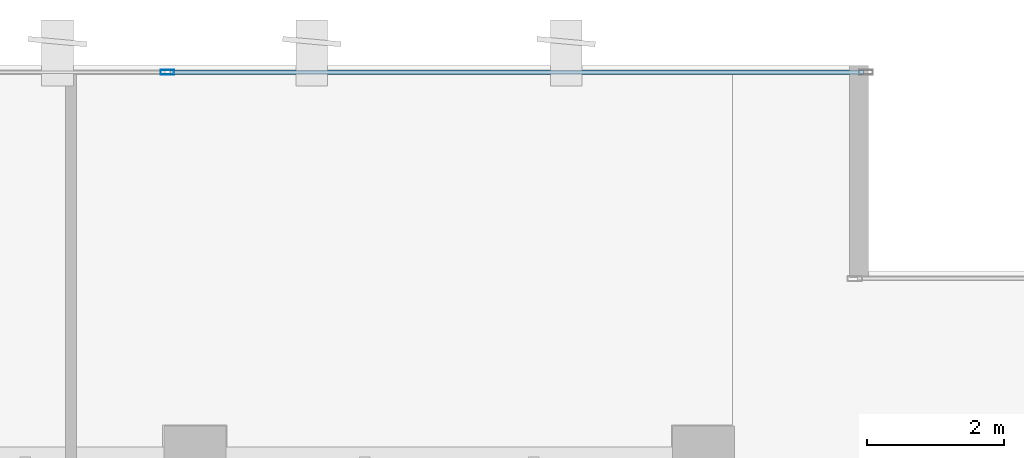
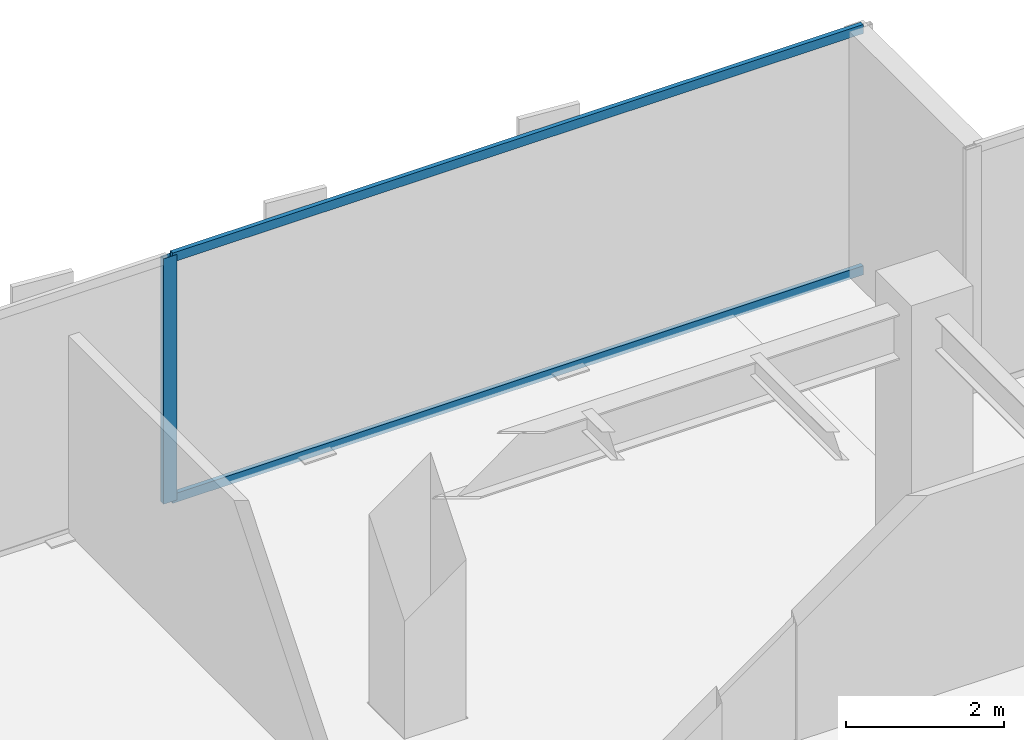
# One storey, part 20 of 34: 3 members, 1 element without a shape of its own.
"""IFC4 building model written with IfcOpenShell, lengths in metres."""

from ifc_helpers import new_model, si_unit, direction, frame, origin, origin_2d, place, context, subcontext, project, spatial, hollow_rectangle, extrude, source, transform, mapped, material, layer, layer_set, material_profile, profile_set, type_object, type_shapes, element, aggregate, save


model = new_model("IFC4")

# Units and contexts
model_context = context("Model", 3, precision=1e-05, world=origin(), true_north=direction((0.0, 1.0)))
body_context = subcontext(model_context, "Body", "Model", "MODEL_VIEW")
ifc_project = project(units=[si_unit("LENGTHUNIT", "METRE"), si_unit("AREAUNIT", "SQUARE_METRE"), si_unit("VOLUMEUNIT", "CUBIC_METRE"), si_unit("PLANEANGLEUNIT", "RADIAN"), si_unit("MASSUNIT", "GRAM", prefix="KILO")], contexts=[model_context])

# Site, building, storey
site_placement = place(None, origin())
site = spatial("IfcSite", under=ifc_project, at=site_placement, CompositionType="ELEMENT")
building_placement = place(site_placement, origin())
building = spatial("IfcBuilding", under=site, at=building_placement, Name="Haelvirn Gate Laboratories", CompositionType="ELEMENT")
storey_placement = place(building_placement, frame((0.0, 0.0, 109.199951171875)))
storey = spatial("IfcBuildingStorey", under=building, at=storey_placement, Name="L26", CompositionType="ELEMENT", Elevation=109.199951171875)

# Curtain wall, members
ifc_material_1 = material(Name="Anodised bronze unitised aluminium & triple low-E glass", Category="aluminium")
ifc_layer = layer(ifc_material_1, 0.179931640625, Name="CW-SYS-3")
ifc_layer_set = layer_set([ifc_layer], Name="Anodised bronze unitised aluminium & triple low-E glass")
curtain_wall_type = type_object("IfcCurtainWallType", Name="CW-SYS-3", PredefinedType="NOTDEFINED", material=ifc_layer_set)
curtain_wall_placement = place(storey_placement, origin())
curtain_wall = element("IfcCurtainWall", 1, at=curtain_wall_placement, inside=storey, type_object=curtain_wall_type, Name="L26 Unitised Curtain Wall CW-L26-P0-E10-1", PredefinedType="NOTDEFINED")
ifc_material_2 = material(Name="Extruded aluminium 6063-T6 (anodised bronze)", Category="aluminium")
ifc_material_profile_1 = material_profile(ifc_material_2, hollow_rectangle(XDim=0.06494140625, YDim=0.139892578125, WallThickness=0.00390625, at=origin_2d()), Name="CWT-140x65x4")
ifc_profile_set_1 = profile_set([ifc_material_profile_1], Name="Extruded aluminium 6063-T6 (anodised bronze)")
member_type_1 = type_object("IfcMemberType", Name="CWT-T140", PredefinedType="USERDEFINED", material=ifc_profile_set_1)
shared_shape_1 = source(origin(), body_context, "Body", "SweptSolid", [
    extrude(hollow_rectangle(XDim=0.06494140625, YDim=0.139892578125, WallThickness=0.00390625, at=origin_2d()), origin(), (0.0, 0.0, 1.0), 10.087646484375),
])
type_shapes(member_type_1, [shared_shape_1])
member_1_placement = place(storey_placement, frame((59.637451171875, 47.199951171875, 0.032470703125), z_axis=(1.0, 0.0, 0.0), x_axis=(0.0, 1.0, 0.0)))
member_1 = element("IfcMember", 2, at=member_1_placement, type_object=member_type_1, Name="CW3 transom 2.1", ObjectType="TRANSOM", PredefinedType="USERDEFINED", context=body_context, shape_type="MappedRepresentation", body=[
    mapped(shared_shape_1, transform((0.0, 0.0, 0.0), scale=1.0)),
])
member_2_placement = place(storey_placement, frame((59.637451171875, 47.199951171875, 3.757568359375), z_axis=(1.0, 0.0, 0.0), x_axis=(0.0, 1.0, 0.0)))
member_2 = element("IfcMember", 3, at=member_2_placement, type_object=member_type_1, Name="CW3 transom 2.2", ObjectType="TRANSOM", PredefinedType="USERDEFINED", context=body_context, shape_type="MappedRepresentation", body=[
    mapped(shared_shape_1, transform((0.0, 0.0, 0.0), scale=1.0)),
])
ifc_material_profile_2 = material_profile(ifc_material_2, hollow_rectangle(XDim=0.074951171875, YDim=0.199951171875, WallThickness=0.0048828125, at=origin_2d()), Name="CWM-200x75x5")
ifc_profile_set_2 = profile_set([ifc_material_profile_2], Name="Extruded aluminium 6063-T6 (anodised bronze)")
member_type_2 = type_object("IfcMemberType", Name="CWM-T200", PredefinedType="MULLION", material=ifc_profile_set_2)
shared_shape_2 = source(origin(), body_context, "Body", "SweptSolid", [
    extrude(hollow_rectangle(XDim=0.074951171875, YDim=0.199951171875, WallThickness=0.0048828125, at=origin_2d()), origin(), (0.0, 0.0, 1.0), 3.7900390625),
])
type_shapes(member_type_2, [shared_shape_2])
member_3_placement = place(storey_placement, frame((59.60009765625, 47.199951171875, 0.0), z_axis=(0.0, 0.0, 1.0), x_axis=(0.0, 1.0, 0.0)))
member_3 = element("IfcMember", 4, at=member_3_placement, type_object=member_type_2, Name="CW3 mullion 2", PredefinedType="MULLION", context=body_context, shape_type="MappedRepresentation", body=[
    mapped(shared_shape_2, transform((0.0, 0.0, 0.0), scale=1.0)),
])
aggregate(curtain_wall, [member_3, member_1, member_2])

save(model, "model.ifc")
